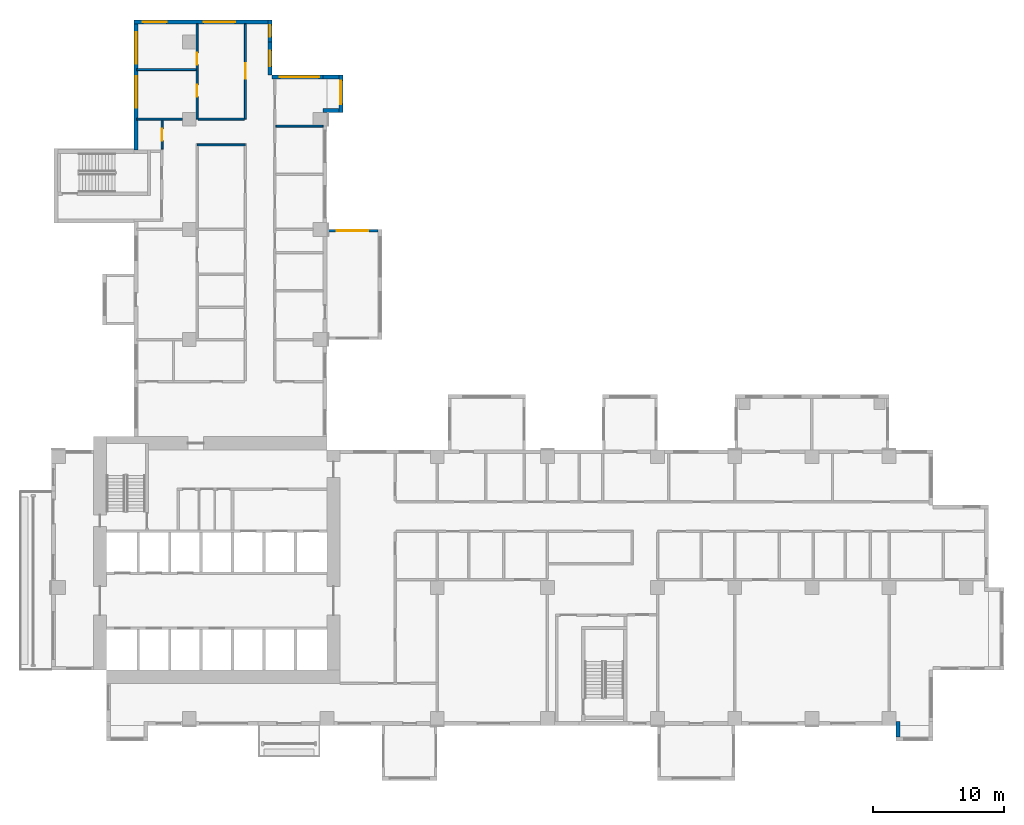
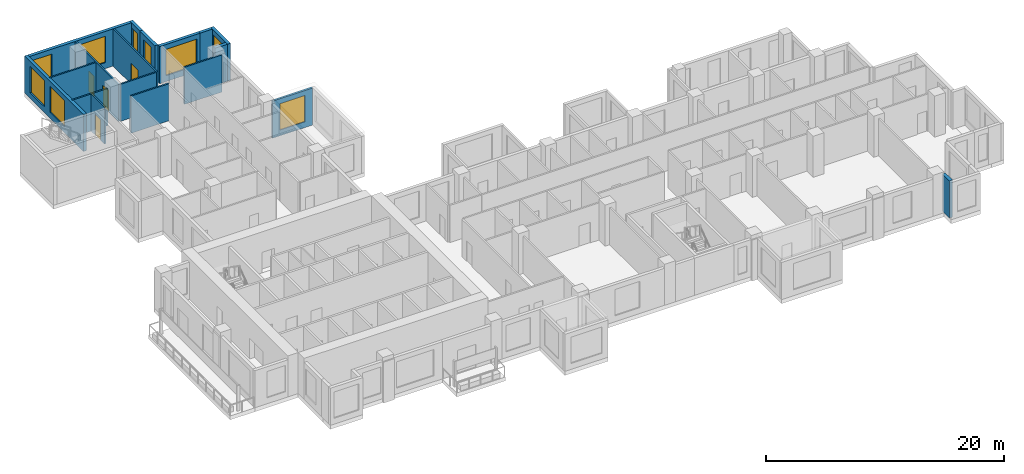
# One storey, part 8 of 15: 18 walls, 9 windows, 4 doors, 13 openings.
"""IFC4 building model written with IfcOpenShell, lengths in metres."""

from ifc_helpers import new_model, si_unit, direction, frame, frame_2d, origin, place, context, subcontext, project, spatial, rectangle, extrude, source, transform, mapped, material, layer, layer_set, type_object, element, fill, save


model = new_model("IFC4")

# Units and contexts
model_context = context("Model", 3, precision=1e-05, world=origin(), true_north=direction((0.0, 1.0)))
body_context = subcontext(model_context, "Body", "Model", "MODEL_VIEW")
ifc_project = project(units=[si_unit("LENGTHUNIT", "METRE"), si_unit("AREAUNIT", "SQUARE_METRE"), si_unit("VOLUMEUNIT", "CUBIC_METRE"), si_unit("PLANEANGLEUNIT", "RADIAN"), si_unit("MASSUNIT", "GRAM", prefix="KILO")], contexts=[model_context])

# Site, building, storey
site_placement = place(None, origin())
site = spatial("IfcSite", under=ifc_project, at=site_placement, CompositionType="ELEMENT")
building_placement = place(site_placement, origin())
building = spatial("IfcBuilding", under=site, at=building_placement, Name="Aurelian Terraces", CompositionType="ELEMENT")
storey_placement = place(building_placement, frame((0.0, 0.0, 137.1)))
storey = spatial("IfcBuildingStorey", under=building, at=storey_placement, Name="L30", CompositionType="ELEMENT", Elevation=137.1)

# Wall, opening, window
ifc_material_1 = material(Name="Terracotta rainscreen cladding", Category="masonry")
ifc_layer_1 = layer(ifc_material_1, 0.3)
ifc_layer_set_1 = layer_set([ifc_layer_1], Name="EW-300")
wall_type_1 = type_object("IfcWallType", Name="EW-300", PredefinedType="STANDARD", material=ifc_layer_set_1)
shared_shape_1 = source(origin(), body_context, "Body", "SweptSolid", [
    extrude(rectangle(XDim=4.2, YDim=0.3, at=frame_2d((2.1, 0.0))), origin(), (0.0, 0.0, 1.0), 3.8),
])
wall_1_placement = place(storey_placement, frame((21.0, 49.41, 0.0), z_axis=(0.0, 0.0, 1.0), x_axis=(-1.0, 0.0, 0.0)))
wall_1 = element("IfcWall", 1, at=wall_1_placement, inside=storey, type_object=wall_type_1, Name="External wall L30 F09.25", PredefinedType="STANDARD", context=body_context, shape_type="MappedRepresentation", body=[
    mapped(shared_shape_1, transform((0.0, 0.0, 0.0), scale=1.0)),
])
shared_shape_2 = source(origin(), body_context, "Body", "SweptSolid", [
    extrude(rectangle(XDim=3.0, YDim=2.7, at=frame_2d((1.5, 1.35))), frame((0.0, 0.16, 0.0), z_axis=(0.0, -1.0, 0.0), x_axis=(1.0, 0.0, 0.0)), (0.0, 0.0, 1.0), 0.32),
])
opening_1_placement = place(wall_1_placement, frame((0.6, 0.0, 0.6)))
opening_1 = element("IfcOpeningElement", 2, at=opening_1_placement, cuts=wall_1, Name="Opening W3027", PredefinedType="OPENING", context=body_context, shape_type="MappedRepresentation", body=[
    mapped(shared_shape_2, transform((0.0, 0.0, 0.0), scale=1.0)),
])
ifc_material_2 = material(Name="Clear glazing", Category="glass")
window_type_1 = type_object("IfcWindowType", Name="W-3000x2700", PartitioningType="SINGLE_PANEL", PredefinedType="WINDOW", material=ifc_material_2)
shared_shape_3 = source(origin(), body_context, "Body", "SweptSolid", [
    extrude(rectangle(XDim=3.0, YDim=2.7, at=frame_2d((1.5, 1.35))), frame((0.0, 0.03, 0.0), z_axis=(0.0, -1.0, 0.0), x_axis=(1.0, 0.0, 0.0)), (0.0, 0.0, 1.0), 0.06),
])
window_1_placement = place(opening_1_placement, origin())
window_1 = element("IfcWindow", 3, at=window_1_placement, inside=storey, type_object=window_type_1, Name="Window L30 L30-F09-25-0", OverallHeight=2.7, OverallWidth=3.0, PartitioningType="SINGLE_PANEL", PredefinedType="WINDOW", context=body_context, shape_type="MappedRepresentation", body=[
    mapped(shared_shape_3, transform((0.0, 0.0, 0.0), scale=1.0)),
])
fill(opening_1, window_1)

# Walls
shared_shape_4 = source(origin(), body_context, "Body", "SweptSolid", [
    extrude(rectangle(XDim=1.2, YDim=0.3, at=frame_2d((0.6, 0.0))), origin(), (0.0, 0.0, 1.0), 3.8),
])
for number, where, z_axis, x_axis, name in (
    (4, (64.515, 0.3, 0.0), (0.0, 0.0, 1.0), (0.0, -1.0, 0.0), "Bay return L30 F01.11.1"),
    (5, (20.7, 46.875, 0.0), (0.0, 0.0, 1.0), (1.0, 0.0, 0.0), "Bay return L30 F08.24.1"),
    (6, (20.7, 49.41, 0.0), (0.0, 0.0, 1.0), (1.0, 0.0, 0.0), "Bay return L30 F08.24.2"),
):
    element("IfcWall", number, at=place(storey_placement, frame(where, z_axis=z_axis, x_axis=x_axis)), inside=storey, type_object=wall_type_1, Name=name, PredefinedType="STANDARD", context=body_context, shape_type="MappedRepresentation", body=[
        mapped(shared_shape_4, transform((0.0, 0.0, 0.0), scale=1.0)),
    ])

# Wall, opening, window
shared_shape_5 = source(origin(), body_context, "Body", "SweptSolid", [
    extrude(rectangle(XDim=2.52, YDim=0.3, at=frame_2d((1.26, 0.0))), origin(), (0.0, 0.0, 1.0), 3.8),
])
wall_2_placement = place(storey_placement, frame((16.65, 49.56, 0.0), z_axis=(0.0, 0.0, 1.0), x_axis=(0.0, 1.0, 0.0)))
wall_2 = element("IfcWall", 7, at=wall_2_placement, inside=storey, type_object=wall_type_1, Name="External wall L30 F10.26", PredefinedType="STANDARD", context=body_context, shape_type="MappedRepresentation", body=[
    mapped(shared_shape_5, transform((0.0, 0.0, 0.0), scale=1.0)),
])
shared_shape_6 = source(origin(), body_context, "Body", "SweptSolid", [
    extrude(rectangle(XDim=1.2, YDim=2.7, at=frame_2d((0.6, 1.35))), frame((0.0, 0.16, 0.0), z_axis=(0.0, -1.0, 0.0), x_axis=(1.0, 0.0, 0.0)), (0.0, 0.0, 1.0), 0.32),
])
opening_2_placement = place(wall_2_placement, frame((0.66, 0.0, 0.6)))
opening_2 = element("IfcOpeningElement", 8, at=opening_2_placement, cuts=wall_2, Name="Opening W1227", PredefinedType="OPENING", context=body_context, shape_type="MappedRepresentation", body=[
    mapped(shared_shape_6, transform((0.0, 0.0, 0.0), scale=1.0)),
])
window_type_2 = type_object("IfcWindowType", Name="W-1200x2700", PartitioningType="SINGLE_PANEL", PredefinedType="WINDOW", material=ifc_material_2)
shared_shape_7 = source(origin(), body_context, "Body", "SweptSolid", [
    extrude(rectangle(XDim=1.2, YDim=2.7, at=frame_2d((0.6, 1.35))), frame((0.0, 0.03, 0.0), z_axis=(0.0, -1.0, 0.0), x_axis=(1.0, 0.0, 0.0)), (0.0, 0.0, 1.0), 0.06),
])
window_2_placement = place(opening_2_placement, origin())
window_2 = element("IfcWindow", 9, at=window_2_placement, inside=storey, type_object=window_type_2, Name="Window L30 L30-F10-26-0", OverallHeight=2.7, OverallWidth=1.2, PartitioningType="SINGLE_PANEL", PredefinedType="WINDOW", context=body_context, shape_type="MappedRepresentation", body=[
    mapped(shared_shape_7, transform((0.0, 0.0, 0.0), scale=1.0)),
])
fill(opening_2, window_2)

shared_shape_8 = source(origin(), body_context, "Body", "SweptSolid", [
    extrude(rectangle(XDim=1.68, YDim=0.3, at=frame_2d((0.84, 0.0))), origin(), (0.0, 0.0, 1.0), 3.8),
])
wall_3_placement = place(storey_placement, frame((16.65, 52.08, 0.0), z_axis=(0.0, 0.0, 1.0), x_axis=(0.0, 1.0, 0.0)))
wall_3 = element("IfcWall", 10, at=wall_3_placement, inside=storey, type_object=wall_type_1, Name="External wall L30 F10.27", PredefinedType="STANDARD", context=body_context, shape_type="MappedRepresentation", body=[
    mapped(shared_shape_8, transform((0.0, 0.0, 0.0), scale=1.0)),
])
shared_shape_9 = source(origin(), body_context, "Body", "SweptSolid", [
    extrude(rectangle(XDim=0.9, YDim=2.7, at=frame_2d((0.45, 1.35))), frame((0.0, 0.16, 0.0), z_axis=(0.0, -1.0, 0.0), x_axis=(1.0, 0.0, 0.0)), (0.0, 0.0, 1.0), 0.32),
])
opening_3_placement = place(wall_3_placement, frame((0.39, 0.0, 0.6)))
opening_3 = element("IfcOpeningElement", 11, at=opening_3_placement, cuts=wall_3, Name="Opening W0927", PredefinedType="OPENING", context=body_context, shape_type="MappedRepresentation", body=[
    mapped(shared_shape_9, transform((0.0, 0.0, 0.0), scale=1.0)),
])
window_type_3 = type_object("IfcWindowType", Name="W-900x2700", PartitioningType="SINGLE_PANEL", PredefinedType="WINDOW", material=ifc_material_2)
shared_shape_10 = source(origin(), body_context, "Body", "SweptSolid", [
    extrude(rectangle(XDim=0.9, YDim=2.7, at=frame_2d((0.45, 1.35))), frame((0.0, 0.03, 0.0), z_axis=(0.0, -1.0, 0.0), x_axis=(1.0, 0.0, 0.0)), (0.0, 0.0, 1.0), 0.06),
])
window_3_placement = place(opening_3_placement, origin())
window_3 = element("IfcWindow", 12, at=window_3_placement, inside=storey, type_object=window_type_3, Name="Window L30 L30-F10-27-P0", OverallHeight=2.7, OverallWidth=0.9, PartitioningType="SINGLE_PANEL", PredefinedType="WINDOW", context=body_context, shape_type="MappedRepresentation", body=[
    mapped(shared_shape_10, transform((0.0, 0.0, 0.0), scale=1.0)),
])
fill(opening_3, window_3)

ifc_material_3 = material(Name="Concrete fc' 40 MPa", Category="concrete")
ifc_layer_2 = layer(ifc_material_3, 0.2)
ifc_layer_set_2 = layer_set([ifc_layer_2], Name="BOX BEARING WALL 200")
wall_type_2 = type_object("IfcWallType", Name="BOX BEARING WALL 200", PredefinedType="SOLIDWALL", material=ifc_layer_set_2)
shared_shape_11 = source(origin(), body_context, "Body", "SweptSolid", [
    extrude(rectangle(XDim=3.9, YDim=0.2, at=frame_2d((1.95, 0.0))), origin(), (0.0, 0.0, 1.0), 3.8),
])
wall_4_placement = place(storey_placement, frame((21.0, 37.7, 0.0), z_axis=(0.0, 0.0, 1.0), x_axis=(1.0, 0.0, 0.0)))
wall_4 = element("IfcWall", 13, at=wall_4_placement, inside=storey, type_object=wall_type_2, Name="Box return L30 J41.2", PredefinedType="SOLIDWALL", context=body_context, shape_type="MappedRepresentation", body=[
    mapped(shared_shape_11, transform((0.0, 0.0, 0.0), scale=1.0)),
])
shared_shape_12 = source(origin(), body_context, "Body", "SweptSolid", [
    extrude(rectangle(XDim=2.4, YDim=2.7, at=frame_2d((1.2, 1.35))), frame((0.0, 0.11, 0.0), z_axis=(0.0, -1.0, 0.0), x_axis=(1.0, 0.0, 0.0)), (0.0, 0.0, 1.0), 0.22),
])
opening_4_placement = place(wall_4_placement, frame((0.75, 0.0, 0.6)))
opening_4 = element("IfcOpeningElement", 14, at=opening_4_placement, cuts=wall_4, Name="Opening W2427", PredefinedType="OPENING", context=body_context, shape_type="MappedRepresentation", body=[
    mapped(shared_shape_12, transform((0.0, 0.0, 0.0), scale=1.0)),
])
window_type_4 = type_object("IfcWindowType", Name="W-2400x2700", PartitioningType="SINGLE_PANEL", PredefinedType="WINDOW", material=ifc_material_2)
shared_shape_13 = source(origin(), body_context, "Body", "SweptSolid", [
    extrude(rectangle(XDim=2.4, YDim=2.7, at=frame_2d((1.2, 1.35))), frame((0.0, 0.03, 0.0), z_axis=(0.0, -1.0, 0.0), x_axis=(1.0, 0.0, 0.0)), (0.0, 0.0, 1.0), 0.06),
])
window_4_placement = place(opening_4_placement, origin())
window_4 = element("IfcWindow", 15, at=window_4_placement, inside=storey, type_object=window_type_4, Name="Window L30 J41-S2", OverallHeight=2.7, OverallWidth=2.4, PartitioningType="SINGLE_PANEL", PredefinedType="WINDOW", context=body_context, shape_type="MappedRepresentation", body=[
    mapped(shared_shape_13, transform((0.0, 0.0, 0.0), scale=1.0)),
])
fill(opening_4, window_4)

shared_shape_14 = source(origin(), body_context, "Body", "SweptSolid", [
    extrude(rectangle(XDim=2.835, YDim=0.3, at=frame_2d((1.4175, 0.0))), origin(), (0.0, 0.0, 1.0), 3.8),
])
wall_5_placement = place(storey_placement, frame((22.05, 46.725, 0.0), z_axis=(0.0, 0.0, 1.0), x_axis=(0.0, 1.0, 0.0)))
wall_5 = element("IfcWall", 16, at=wall_5_placement, inside=storey, type_object=wall_type_1, Name="Bay wall L30 F08.24", PredefinedType="STANDARD", context=body_context, shape_type="MappedRepresentation", body=[
    mapped(shared_shape_14, transform((0.0, 0.0, 0.0), scale=1.0)),
])
shared_shape_15 = source(origin(), body_context, "Body", "SweptSolid", [
    extrude(rectangle(XDim=1.8, YDim=2.7, at=frame_2d((0.9, 1.35))), frame((0.0, 0.16, 0.0), z_axis=(0.0, -1.0, 0.0), x_axis=(1.0, 0.0, 0.0)), (0.0, 0.0, 1.0), 0.32),
])
opening_5_placement = place(wall_5_placement, frame((0.6175, 0.0, 0.6)))
opening_5 = element("IfcOpeningElement", 17, at=opening_5_placement, cuts=wall_5, Name="Opening W1827", PredefinedType="OPENING", context=body_context, shape_type="MappedRepresentation", body=[
    mapped(shared_shape_15, transform((0.0, 0.0, 0.0), scale=1.0)),
])
window_type_5 = type_object("IfcWindowType", Name="W-1800x2700", PartitioningType="SINGLE_PANEL", PredefinedType="WINDOW", material=ifc_material_2)
shared_shape_16 = source(origin(), body_context, "Body", "SweptSolid", [
    extrude(rectangle(XDim=1.8, YDim=2.7, at=frame_2d((0.9, 1.35))), frame((0.0, 0.03, 0.0), z_axis=(0.0, -1.0, 0.0), x_axis=(1.0, 0.0, 0.0)), (0.0, 0.0, 1.0), 0.06),
])
window_5_placement = place(opening_5_placement, origin())
window_5 = element("IfcWindow", 18, at=window_5_placement, inside=storey, type_object=window_type_5, Name="Window L30 L30-F08-24-0", OverallHeight=2.7, OverallWidth=1.8, PartitioningType="SINGLE_PANEL", PredefinedType="WINDOW", context=body_context, shape_type="MappedRepresentation", body=[
    mapped(shared_shape_16, transform((0.0, 0.0, 0.0), scale=1.0)),
])
fill(opening_5, window_5)

# Wall, openings, windows
shared_shape_17 = source(origin(), body_context, "Body", "SweptSolid", [
    extrude(rectangle(XDim=10.5, YDim=0.3, at=frame_2d((5.25, 0.0))), origin(), (0.0, 0.0, 1.0), 3.8),
])
wall_6_placement = place(storey_placement, frame((16.8, 53.61, 0.0), z_axis=(0.0, 0.0, 1.0), x_axis=(-1.0, 0.0, 0.0)))
wall_6 = element("IfcWall", 19, at=wall_6_placement, inside=storey, type_object=wall_type_1, Name="External wall L30 F11.28", PredefinedType="STANDARD", context=body_context, shape_type="MappedRepresentation", body=[
    mapped(shared_shape_17, transform((0.0, 0.0, 0.0), scale=1.0)),
])
opening_6_placement = place(wall_6_placement, frame((8.025, 0.0, 0.6)))
opening_6 = element("IfcOpeningElement", 20, at=opening_6_placement, cuts=wall_6, Name="Opening W1827", PredefinedType="OPENING", context=body_context, shape_type="MappedRepresentation", body=[
    mapped(shared_shape_15, transform((0.0, 0.0, 0.0), scale=1.0)),
])
shared_shape_18 = source(origin(), body_context, "Body", "SweptSolid", [
    extrude(rectangle(XDim=2.4, YDim=2.7, at=frame_2d((1.2, 1.35))), frame((0.0, 0.16, 0.0), z_axis=(0.0, -1.0, 0.0), x_axis=(1.0, 0.0, 0.0)), (0.0, 0.0, 1.0), 0.32),
])
opening_7_placement = place(wall_6_placement, frame((2.8125, 0.0, 0.6)))
opening_7 = element("IfcOpeningElement", 21, at=opening_7_placement, cuts=wall_6, Name="Opening W2427", PredefinedType="OPENING", context=body_context, shape_type="MappedRepresentation", body=[
    mapped(shared_shape_18, transform((0.0, 0.0, 0.0), scale=1.0)),
])
window_6_placement = place(opening_7_placement, origin())
window_6 = element("IfcWindow", 22, at=window_6_placement, inside=storey, type_object=window_type_4, Name="Window L30 L30-F11-28-G0-0", OverallHeight=2.7, OverallWidth=2.4, PartitioningType="SINGLE_PANEL", PredefinedType="WINDOW", context=body_context, shape_type="MappedRepresentation", body=[
    mapped(shared_shape_13, transform((0.0, 0.0, 0.0), scale=1.0)),
])
fill(opening_7, window_6)
window_7_placement = place(opening_6_placement, origin())
window_7 = element("IfcWindow", 23, at=window_7_placement, inside=storey, type_object=window_type_5, Name="Window L30 L30-F11-28-2", OverallHeight=2.7, OverallWidth=1.8, PartitioningType="SINGLE_PANEL", PredefinedType="WINDOW", context=body_context, shape_type="MappedRepresentation", body=[
    mapped(shared_shape_16, transform((0.0, 0.0, 0.0), scale=1.0)),
])
fill(opening_6, window_7)

shared_shape_19 = source(origin(), body_context, "Body", "SweptSolid", [
    extrude(rectangle(XDim=9.91, YDim=0.3, at=frame_2d((4.955, 0.0))), origin(), (0.0, 0.0, 1.0), 3.8),
])
wall_7_placement = place(storey_placement, frame((6.45, 53.76, 0.0), z_axis=(0.0, 0.0, 1.0), x_axis=(0.0, -1.0, 0.0)))
wall_7 = element("IfcWall", 24, at=wall_7_placement, inside=storey, type_object=wall_type_1, Name="External wall L30 F12.29", PredefinedType="STANDARD", context=body_context, shape_type="MappedRepresentation", body=[
    mapped(shared_shape_19, transform((0.0, 0.0, 0.0), scale=1.0)),
])
opening_8_placement = place(wall_7_placement, frame((4.2725, 0.0, 0.6)))
opening_8 = element("IfcOpeningElement", 25, at=opening_8_placement, cuts=wall_7, Name="Opening W2427", PredefinedType="OPENING", context=body_context, shape_type="MappedRepresentation", body=[
    mapped(shared_shape_18, transform((0.0, 0.0, 0.0), scale=1.0)),
])
opening_9_placement = place(wall_7_placement, frame((0.9363, 0.0, 0.6)))
opening_9 = element("IfcOpeningElement", 26, at=opening_9_placement, cuts=wall_7, Name="Opening W2427", PredefinedType="OPENING", context=body_context, shape_type="MappedRepresentation", body=[
    mapped(shared_shape_18, transform((0.0, 0.0, 0.0), scale=1.0)),
])
window_8_placement = place(opening_8_placement, origin())
window_8 = element("IfcWindow", 27, at=window_8_placement, inside=storey, type_object=window_type_4, Name="Window L30 L30-F12-29-1", OverallHeight=2.7, OverallWidth=2.4, PartitioningType="SINGLE_PANEL", PredefinedType="WINDOW", context=body_context, shape_type="MappedRepresentation", body=[
    mapped(shared_shape_13, transform((0.0, 0.0, 0.0), scale=1.0)),
])
fill(opening_8, window_8)
window_9_placement = place(opening_9_placement, origin())
window_9 = element("IfcWindow", 28, at=window_9_placement, inside=storey, type_object=window_type_4, Name="Window L30 L30-F12-29-G0-0", OverallHeight=2.7, OverallWidth=2.4, PartitioningType="SINGLE_PANEL", PredefinedType="WINDOW", context=body_context, shape_type="MappedRepresentation", body=[
    mapped(shared_shape_13, transform((0.0, 0.0, 0.0), scale=1.0)),
])
fill(opening_9, window_9)

# Wall
ifc_material_4 = material(Name="Gypsum board on steel studs", Category="steel")
ifc_layer_3 = layer(ifc_material_4, 0.15)
ifc_layer_set_3 = layer_set([ifc_layer_3], Name="Partition 150")
wall_type_3 = type_object("IfcWallType", Name="Partition 150", PredefinedType="PARTITIONING", material=ifc_layer_set_3)
shared_shape_20 = source(origin(), body_context, "Body", "SweptSolid", [
    extrude(rectangle(XDim=3.6, YDim=0.15, at=frame_2d((1.8, 0.0))), origin(), (0.0, 0.0, 1.0), 3.8),
])
wall_8_placement = place(storey_placement, frame((17.1, 45.6675, 0.0), z_axis=(0.0, 0.0, 1.0), x_axis=(1.0, 0.0, 0.0)))
element("IfcWall", 29, at=wall_8_placement, inside=storey, type_object=wall_type_3, Name="Partition", PredefinedType="PARTITIONING", context=body_context, shape_type="MappedRepresentation", body=[
    mapped(shared_shape_20, transform((0.0, 0.0, 0.0), scale=1.0)),
])

# Wall, opening, door
shared_shape_21 = source(origin(), body_context, "Body", "SweptSolid", [
    extrude(rectangle(XDim=2.2, YDim=0.15, at=frame_2d((1.1, 0.0))), origin(), (0.0, 0.0, 1.0), 3.8),
])
wall_9_placement = place(storey_placement, frame((8.425, 43.925, 0.0), z_axis=(0.0, 0.0, 1.0), x_axis=(0.0, 1.0, 0.0)))
wall_9 = element("IfcWall", 30, at=wall_9_placement, inside=storey, type_object=wall_type_3, Name="Partition", PredefinedType="PARTITIONING", context=body_context, shape_type="MappedRepresentation", body=[
    mapped(shared_shape_21, transform((0.0, 0.0, 0.0), scale=1.0)),
])
shared_shape_22 = source(origin(), body_context, "Body", "SweptSolid", [
    extrude(rectangle(XDim=0.9, YDim=2.1, at=frame_2d((0.45, 1.05))), frame((0.0, 0.085, 0.0), z_axis=(0.0, -1.0, 0.0), x_axis=(1.0, 0.0, 0.0)), (0.0, 0.0, 1.0), 0.17),
])
opening_10_placement = place(wall_9_placement, frame((0.65, 0.0, 0.0)))
opening_10 = element("IfcOpeningElement", 31, at=opening_10_placement, cuts=wall_9, Name="Opening 730036", PredefinedType="OPENING", context=body_context, shape_type="MappedRepresentation", body=[
    mapped(shared_shape_22, transform((0.0, 0.0, 0.0), scale=1.0)),
])
ifc_material_5 = material(Name="Timber door leaf", Category="wood")
door_type_1 = type_object("IfcDoorType", Name="Room door 900x2100 right", OperationType="SINGLE_SWING_RIGHT", PredefinedType="DOOR", material=ifc_material_5)
shared_shape_23 = source(origin(), body_context, "Body", "SweptSolid", [
    extrude(rectangle(XDim=0.9, YDim=2.1, at=frame_2d((0.45, 1.05))), frame((0.0, 0.025, 0.0), z_axis=(0.0, -1.0, 0.0), x_axis=(1.0, 0.0, 0.0)), (0.0, 0.0, 1.0), 0.05),
])
door_1_placement = place(opening_10_placement, origin())
door_1 = element("IfcDoor", 32, at=door_1_placement, inside=storey, type_object=door_type_1, Name="Door 730036", OperationType="SINGLE_SWING_RIGHT", OverallHeight=2.1, OverallWidth=0.9, PredefinedType="DOOR", context=body_context, shape_type="MappedRepresentation", body=[
    mapped(shared_shape_23, transform((0.0, 0.0, 0.0), scale=1.0)),
])
fill(opening_10, door_1)

# Wall, openings, doors
shared_shape_24 = source(origin(), body_context, "Body", "SweptSolid", [
    extrude(rectangle(XDim=7.26, YDim=0.15, at=frame_2d((3.63, 0.0))), origin(), (0.0, 0.0, 1.0), 3.8),
])
wall_10_placement = place(storey_placement, frame((11.1, 46.2, 0.0), z_axis=(0.0, 0.0, 1.0), x_axis=(0.0, 1.0, 0.0)))
wall_10 = element("IfcWall", 33, at=wall_10_placement, inside=storey, type_object=wall_type_3, Name="Partition", PredefinedType="PARTITIONING", context=body_context, shape_type="MappedRepresentation", body=[
    mapped(shared_shape_24, transform((0.0, 0.0, 0.0), scale=1.0)),
])
opening_11_placement = place(wall_10_placement, frame((1.715, 0.0, 0.0)))
opening_11 = element("IfcOpeningElement", 34, at=opening_11_placement, cuts=wall_10, Name="Opening 730042", PredefinedType="OPENING", context=body_context, shape_type="MappedRepresentation", body=[
    mapped(shared_shape_22, transform((0.0, 0.0, 0.0), scale=1.0)),
])
opening_12_placement = place(wall_10_placement, frame((4.155, 0.0, 0.0)))
opening_12 = element("IfcOpeningElement", 35, at=opening_12_placement, cuts=wall_10, Name="Opening 730043", PredefinedType="OPENING", context=body_context, shape_type="MappedRepresentation", body=[
    mapped(shared_shape_22, transform((0.0, 0.0, 0.0), scale=1.0)),
])
door_2_placement = place(opening_11_placement, origin())
door_2 = element("IfcDoor", 36, at=door_2_placement, inside=storey, type_object=door_type_1, Name="Door 730042", OperationType="SINGLE_SWING_RIGHT", OverallHeight=2.1, OverallWidth=0.9, PredefinedType="DOOR", context=body_context, shape_type="MappedRepresentation", body=[
    mapped(shared_shape_23, transform((0.0, 0.0, 0.0), scale=1.0)),
])
fill(opening_11, door_2)
door_type_2 = type_object("IfcDoorType", Name="Room door 900x2100 left", OperationType="SINGLE_SWING_LEFT", PredefinedType="DOOR", material=ifc_material_5)
door_3_placement = place(opening_12_placement, origin())
door_3 = element("IfcDoor", 37, at=door_3_placement, inside=storey, type_object=door_type_2, Name="Door 730043", OperationType="SINGLE_SWING_LEFT", OverallHeight=2.1, OverallWidth=0.9, PredefinedType="DOOR", context=body_context, shape_type="MappedRepresentation", body=[
    mapped(shared_shape_23, transform((0.0, 0.0, 0.0), scale=1.0)),
])
fill(opening_12, door_3)

# Wall, opening, door
ifc_layer_4 = layer(ifc_material_4, 0.15)
ifc_layer_set_4 = layer_set([ifc_layer_4], Name="Fire partition 150")
wall_type_4 = type_object("IfcWallType", Name="Fire partition 150", PredefinedType="PARTITIONING", material=ifc_layer_set_4)
wall_11_placement = place(storey_placement, frame((14.775, 46.2, 0.0), z_axis=(0.0, 0.0, 1.0), x_axis=(0.0, 1.0, 0.0)))
wall_11 = element("IfcWall", 38, at=wall_11_placement, inside=storey, type_object=wall_type_4, Name="Corridor wall", PredefinedType="PARTITIONING", context=body_context, shape_type="MappedRepresentation", body=[
    mapped(shared_shape_24, transform((0.0, 0.0, 0.0), scale=1.0)),
])
shared_shape_25 = source(origin(), body_context, "Body", "SweptSolid", [
    extrude(rectangle(XDim=1.2, YDim=2.1, at=frame_2d((0.6, 1.05))), frame((0.0, 0.085, 0.0), z_axis=(0.0, -1.0, 0.0), x_axis=(1.0, 0.0, 0.0)), (0.0, 0.0, 1.0), 0.17),
])
opening_13_placement = place(wall_11_placement, frame((3.0675, 0.0, 0.0)))
opening_13 = element("IfcOpeningElement", 39, at=opening_13_placement, cuts=wall_11, Name="Opening 730041", PredefinedType="OPENING", context=body_context, shape_type="MappedRepresentation", body=[
    mapped(shared_shape_25, transform((0.0, 0.0, 0.0), scale=1.0)),
])
door_type_3 = type_object("IfcDoorType", Name="Room door 1200x2100 left", OperationType="SINGLE_SWING_LEFT", PredefinedType="DOOR", material=ifc_material_5)
shared_shape_26 = source(origin(), body_context, "Body", "SweptSolid", [
    extrude(rectangle(XDim=1.2, YDim=2.1, at=frame_2d((0.6, 1.05))), frame((0.0, 0.025, 0.0), z_axis=(0.0, -1.0, 0.0), x_axis=(1.0, 0.0, 0.0)), (0.0, 0.0, 1.0), 0.05),
])
door_4_placement = place(opening_13_placement, origin())
door_4 = element("IfcDoor", 40, at=door_4_placement, inside=storey, type_object=door_type_3, Name="Door 730041", OperationType="SINGLE_SWING_LEFT", OverallHeight=2.1, OverallWidth=1.2, PredefinedType="DOOR", context=body_context, shape_type="MappedRepresentation", body=[
    mapped(shared_shape_26, transform((0.0, 0.0, 0.0), scale=1.0)),
])
fill(opening_13, door_4)

# Walls
shared_shape_27 = source(origin(), body_context, "Body", "SweptSolid", [
    extrude(rectangle(XDim=3.471, YDim=0.15, at=frame_2d((1.7355, 0.0))), origin(), (0.0, 0.0, 1.0), 3.8),
])
wall_12_placement = place(storey_placement, frame((9.976, 46.2, 0.0), z_axis=(0.0, 0.0, 1.0), x_axis=(-1.0, 0.0, 0.0)))
element("IfcWall", 41, at=wall_12_placement, inside=storey, type_object=wall_type_3, Name="Partition", PredefinedType="PARTITIONING", context=body_context, shape_type="MappedRepresentation", body=[
    mapped(shared_shape_27, transform((0.0, 0.0, 0.0), scale=1.0)),
])
shared_shape_28 = source(origin(), body_context, "Body", "SweptSolid", [
    extrude(rectangle(XDim=3.525, YDim=0.15, at=frame_2d((1.7625, 0.0))), origin(), (0.0, 0.0, 1.0), 3.8),
])
wall_13_placement = place(storey_placement, frame((14.7, 46.2, 0.0), z_axis=(0.0, 0.0, 1.0), x_axis=(-1.0, 0.0, 0.0)))
element("IfcWall", 42, at=wall_13_placement, inside=storey, type_object=wall_type_3, Name="Partition", PredefinedType="PARTITIONING", context=body_context, shape_type="MappedRepresentation", body=[
    mapped(shared_shape_28, transform((0.0, 0.0, 0.0), scale=1.0)),
])
shared_shape_29 = source(origin(), body_context, "Body", "SweptSolid", [
    extrude(rectangle(XDim=4.52, YDim=0.15, at=frame_2d((2.26, 0.0))), origin(), (0.0, 0.0, 1.0), 3.8),
])
wall_14_placement = place(storey_placement, frame((11.025, 49.98, 0.0), z_axis=(0.0, 0.0, 1.0), x_axis=(-1.0, 0.0, 0.0)))
element("IfcWall", 43, at=wall_14_placement, inside=storey, type_object=wall_type_3, Name="Partition", PredefinedType="PARTITIONING", context=body_context, shape_type="MappedRepresentation", body=[
    mapped(shared_shape_29, transform((0.0, 0.0, 0.0), scale=1.0)),
])
shared_shape_30 = source(origin(), body_context, "Body", "SweptSolid", [
    extrude(rectangle(XDim=3.675, YDim=0.15, at=frame_2d((1.8375, 0.0))), origin(), (0.0, 0.0, 1.0), 3.8),
])
wall_15_placement = place(storey_placement, frame((14.775, 44.25, 0.0), z_axis=(0.0, 0.0, 1.0), x_axis=(-1.0, 0.0, 0.0)))
element("IfcWall", 44, at=wall_15_placement, inside=storey, type_object=wall_type_3, Name="Partition", PredefinedType="PARTITIONING", context=body_context, shape_type="MappedRepresentation", body=[
    mapped(shared_shape_30, transform((0.0, 0.0, 0.0), scale=1.0)),
])

save(model, "model.ifc")
